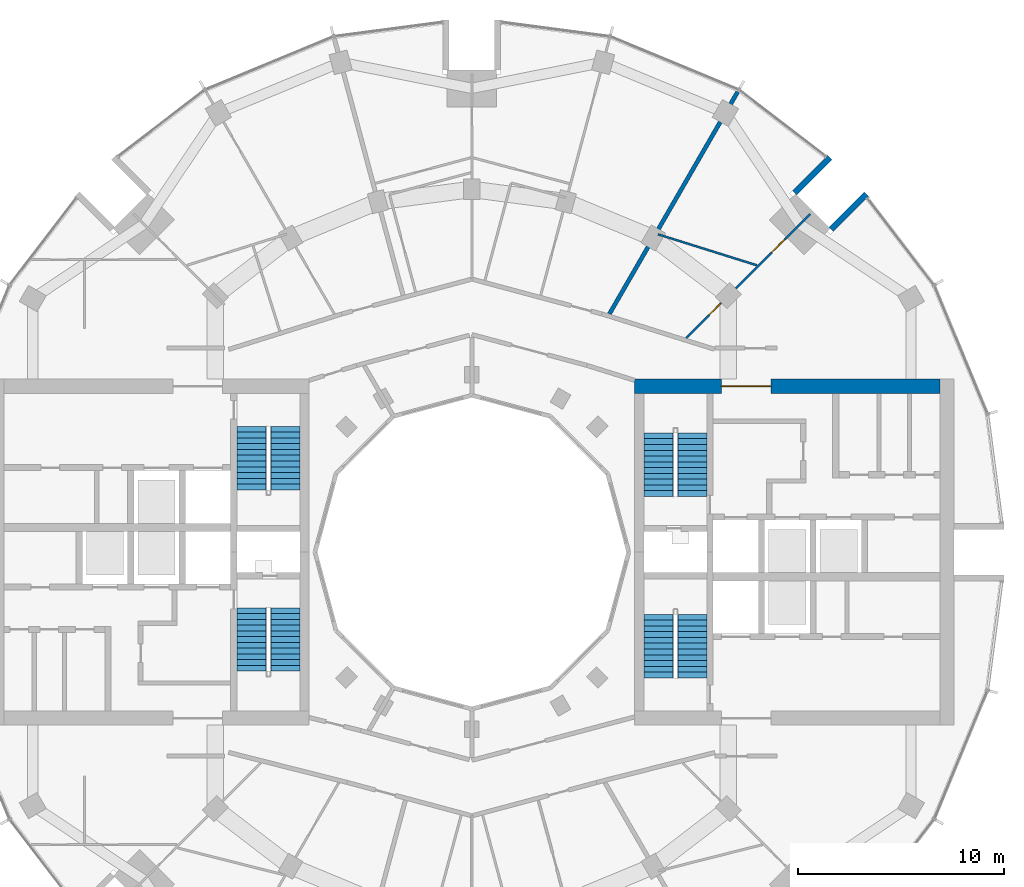
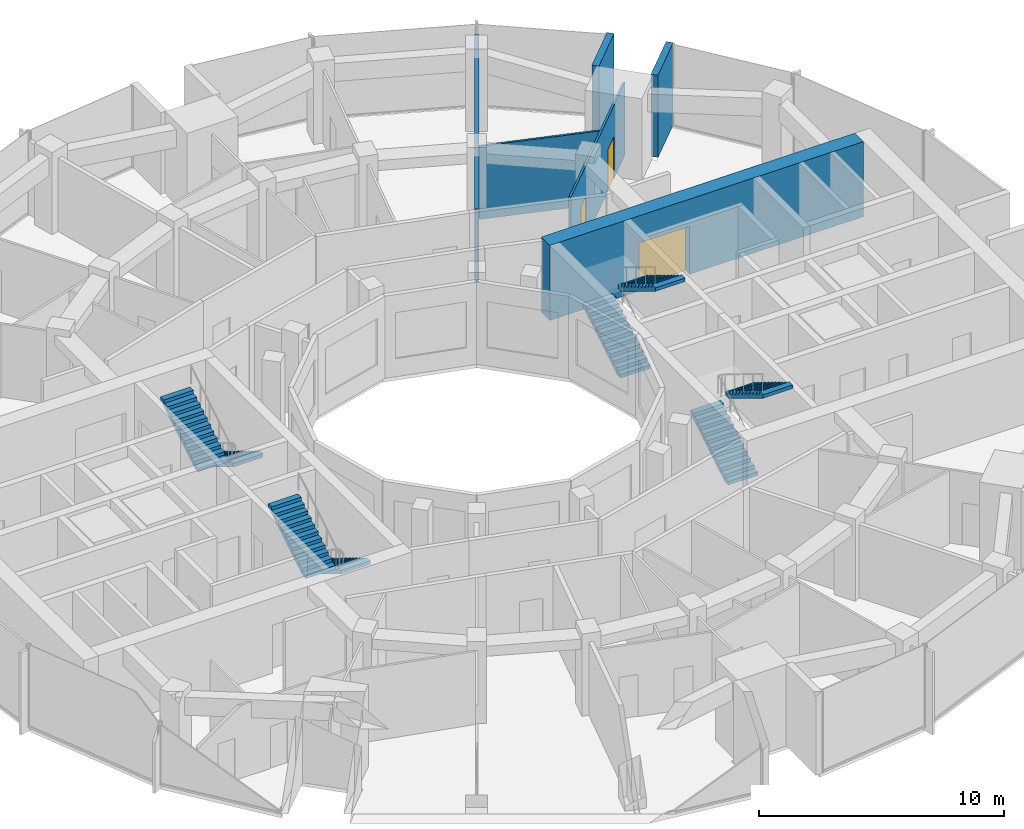
# One storey, part 13 of 15: 8 stair flights, 6 walls, 3 doors, 3 openings, 4 elements without a shape of their own.
"""IFC4 building model written with IfcOpenShell, lengths in metres."""

from ifc_helpers import new_model, si_unit, direction, frame, frame_2d, origin, place, context, subcontext, project, spatial, polyline, rectangle, outline, extrude, material, layer, layer_set, type_object, element, fill, aggregate, save


model = new_model("IFC4")

# Units and contexts
model_context = context("Model", 3, precision=1e-05, world=origin(), true_north=direction((0.0, 1.0)))
body_context = subcontext(model_context, "Body", "Model", "MODEL_VIEW")
ifc_project = project(units=[si_unit("LENGTHUNIT", "METRE"), si_unit("AREAUNIT", "SQUARE_METRE"), si_unit("VOLUMEUNIT", "CUBIC_METRE"), si_unit("PLANEANGLEUNIT", "RADIAN"), si_unit("MASSUNIT", "GRAM", prefix="KILO")], contexts=[model_context])

# Site, building, storey
site_placement = place(None, origin())
site = spatial("IfcSite", under=ifc_project, at=site_placement, CompositionType="ELEMENT")
building_placement = place(site_placement, origin())
building = spatial("IfcBuilding", under=site, at=building_placement, Name="Torre Brocal", CompositionType="ELEMENT")
storey_placement = place(building_placement, frame((0.0, 0.0, 202.800048828125)))
storey = spatial("IfcBuildingStorey", under=building, at=storey_placement, Name="L47", CompositionType="ELEMENT", Elevation=202.800048828125)

# Wall, opening, door
ifc_material_1 = material(Name="Concrete C70", Category="concrete")
ifc_layer_1 = layer(ifc_material_1, 0.699951171875)
ifc_layer_set_1 = layer_set([ifc_layer_1], Name="Concrete C70")
wall_type_1 = type_object("IfcWallType", Name="CORE WALL 700 C70 UNDER 350 SLAB", PredefinedType="SHEAR", material=ifc_layer_set_1)
wall_1_placement = place(storey_placement, frame((87.89990234375, 83.050048828125, 0.0), z_axis=(0.0, 0.0, 1.0), x_axis=(1.0, 0.0, 0.0)))
wall_1 = element("IfcWall", 1, at=wall_1_placement, inside=storey, type_object=wall_type_1, Name="Wall CW700-70-S350", PredefinedType="SHEAR", context=body_context, shape_type="SweptSolid", body=[
    extrude(rectangle(XDim=14.800048828125, YDim=0.699951171875, at=frame_2d((7.39990234375, 0.0))), origin(), (0.0, 0.0, 1.0), 3.75),
])
opening_1_placement = place(wall_1_placement, frame((4.199951171875, 0.0, 0.0)))
opening_1 = element("IfcOpeningElement", 2, at=opening_1_placement, cuts=wall_1, Name="Opening E-D34", PredefinedType="OPENING", context=body_context, shape_type="SweptSolid", body=[
    extrude(rectangle(XDim=2.39990234375, YDim=2.39990234375, at=frame_2d((1.199951171875, 1.199951171875))), frame((0.0, 0.35986328125, 0.0), z_axis=(0.0, -1.0, 0.0), x_axis=(1.0, 0.0, 0.0)), (0.0, 0.0, 1.0), 0.719970703125),
])
ifc_material_2 = material(Name="Steel A653", Category="steel")
door_type_1 = type_object("IfcDoorType", Name="DOUBLE FIRE DOOR FD90 2400X2400", OperationType="DOUBLE_DOOR_SINGLE_SWING", PredefinedType="DOOR", material=ifc_material_2)
door_1_placement = place(opening_1_placement, frame((2.39990234375, 0.0, 0.0), z_axis=(0.0, 0.0, 1.0), x_axis=(-1.0, 0.0, 0.0)))
door_1 = element("IfcDoor", 3, at=door_1_placement, inside=storey, type_object=door_type_1, Name="Door E-D34", OperationType="DOUBLE_DOOR_SINGLE_SWING", OverallHeight=2.39990234375, OverallWidth=2.39990234375, PredefinedType="DOOR", context=body_context, shape_type="SweptSolid", body=[
    extrude(rectangle(XDim=2.39990234375, YDim=2.39990234375, at=frame_2d((1.199951171875, 1.199951171875))), frame((0.0, 0.02490234375, 0.0), z_axis=(0.0, -1.0, 0.0), x_axis=(1.0, 0.0, 0.0)), (0.0, 0.0, 1.0), 0.050048828125),
])
fill(opening_1, door_1)

# Walls
ifc_material_3 = material(Name="Concrete C70", Category="concrete")
ifc_layer_2 = layer(ifc_material_3, 0.300048828125)
ifc_layer_set_2 = layer_set([ifc_layer_2], Name="Concrete C70")
wall_type_2 = type_object("IfcWallType", Name="NOTCH RETURN WALL 300 C70", PredefinedType="NOTDEFINED", material=ifc_layer_set_2)
for number, where, z_axis, x_axis, name in (
    (4, (97.43017578125, 90.662353515625, 0.0), (0.0, 0.0, 1.0), (0.707106781187, 0.707106781187, 0.0), "NOTCH RETURN WALL"),
    (5, (95.662353515625, 92.43017578125, 0.0), (0.0, 0.0, 1.0), (0.707106781187, 0.707106781187, 0.0), "NOTCH RETURN WALL"),
):
    element("IfcWall", number, at=place(storey_placement, frame(where, z_axis=z_axis, x_axis=x_axis)), inside=storey, type_object=wall_type_2, Name=name, PredefinedType="NOTDEFINED", context=body_context, shape_type="SweptSolid", body=[
        extrude(rectangle(XDim=2.415771484375, YDim=0.300048828125, at=frame_2d((1.2080078125, 0.0))), origin(), (0.0, 0.0, 1.0), 4.099853515625),
    ])
ifc_material_4 = material(Name="Gypsum board", Category="Gypsum")
ifc_layer_3 = layer(ifc_material_4, 0.10009765625)
ifc_layer_set_3 = layer_set([ifc_layer_3], Name="Gypsum board")
wall_type_3 = type_object("IfcWallType", Name="PARTITION 100", PredefinedType="PARTITIONING", material=ifc_layer_set_3)
wall_2_placement = place(storey_placement, frame((89.0263671875, 90.4189453125, 0.0), z_axis=(0.0, 0.0, 1.0), x_axis=(0.954217944154, -0.299112211476, 0.0)))
element("IfcWall", 6, at=wall_2_placement, inside=storey, type_object=wall_type_3, Name="BATHROOM WALL", PredefinedType="PARTITIONING", context=body_context, shape_type="SweptSolid", body=[
    extrude(rectangle(XDim=5.0302734375, YDim=0.10009765625, at=frame_2d((2.51513671875, 0.0))), origin(), (0.0, 0.0, 1.0), 3.64990234375),
])

# Wall, openings, doors
wall_3_placement = place(storey_placement, frame((90.397216796875, 85.392822265625, 0.0), z_axis=(0.0, 0.0, 1.0), x_axis=(0.707264750546, 0.706948776529, 0.0)))
wall_3 = element("IfcWall", 7, at=wall_3_placement, inside=storey, type_object=wall_type_3, Name="BATHROOM WALL", PredefinedType="PARTITIONING", context=body_context, shape_type="SweptSolid", body=[
    extrude(rectangle(XDim=8.499267578125, YDim=0.10009765625, at=frame_2d((4.24951171875, 0.0))), origin(), (0.0, 0.0, 1.0), 3.64990234375),
])
opening_2_placement = place(wall_3_placement, frame((5.856689453125, 0.0, 0.0)))
opening_2 = element("IfcOpeningElement", 8, at=opening_2_placement, cuts=wall_3, Name="Opening R04-D02", PredefinedType="OPENING", context=body_context, shape_type="SweptSolid", body=[
    extrude(rectangle(XDim=0.89990234375, YDim=2.10009765625, at=frame_2d((0.449951171875, 1.050048828125))), frame((0.0, 0.06005859375, 0.0), z_axis=(0.0, -1.0, 0.0), x_axis=(1.0, 0.0, 0.0)), (0.0, 0.0, 1.0), 0.1201171875),
])
opening_3_placement = place(wall_3_placement, frame((1.569091796875, 0.0, 0.0)))
opening_3 = element("IfcOpeningElement", 9, at=opening_3_placement, cuts=wall_3, Name="Opening R04-D03", PredefinedType="OPENING", context=body_context, shape_type="SweptSolid", body=[
    extrude(rectangle(XDim=0.800048828125, YDim=2.10009765625, at=frame_2d((0.39990234375, 1.050048828125))), frame((0.0, 0.06005859375, 0.0), z_axis=(0.0, -1.0, 0.0), x_axis=(1.0, 0.0, 0.0)), (0.0, 0.0, 1.0), 0.1201171875),
])
ifc_material_5 = material(Name="Timber", Category="wood")
door_type_2 = type_object("IfcDoorType", Name="BATHROOM DOOR 800X2100", OperationType="SINGLE_SWING_LEFT", PredefinedType="DOOR", material=ifc_material_5)
door_2_placement = place(opening_3_placement, origin())
door_2 = element("IfcDoor", 10, at=door_2_placement, inside=storey, type_object=door_type_2, Name="R04-D03", OperationType="SINGLE_SWING_LEFT", OverallHeight=2.10009765625, OverallWidth=0.800048828125, PredefinedType="DOOR", context=body_context, shape_type="SweptSolid", body=[
    extrude(rectangle(XDim=0.800048828125, YDim=2.10009765625, at=frame_2d((0.39990234375, 1.050048828125))), frame((0.0, 0.02490234375, 0.0), z_axis=(0.0, -1.0, 0.0), x_axis=(1.0, 0.0, 0.0)), (0.0, 0.0, 1.0), 0.050048828125),
])
fill(opening_3, door_2)
ifc_material_6 = material(Name="Timber", Category="wood")
door_type_3 = type_object("IfcDoorType", Name="ROOM DOOR 900X2100", OperationType="SINGLE_SWING_LEFT", PredefinedType="DOOR", material=ifc_material_6)
door_3_placement = place(opening_2_placement, frame((0.89990234375, 0.0, 0.0), z_axis=(0.0, 0.0, 1.0), x_axis=(-1.0, 0.0, 0.0)))
door_3 = element("IfcDoor", 11, at=door_3_placement, inside=storey, type_object=door_type_3, Name="R04-D02", OperationType="SINGLE_SWING_LEFT", OverallHeight=2.10009765625, OverallWidth=0.89990234375, PredefinedType="DOOR", context=body_context, shape_type="SweptSolid", body=[
    extrude(rectangle(XDim=0.89990234375, YDim=2.10009765625, at=frame_2d((0.449951171875, 1.050048828125))), frame((0.0, 0.02490234375, 0.0), z_axis=(0.0, -1.0, 0.0), x_axis=(1.0, 0.0, 0.0)), (0.0, 0.0, 1.0), 0.050048828125),
])
fill(opening_2, door_3)

# Wall
ifc_material_7 = material(Name="Gypsum board", Category="Gypsum")
ifc_layer_4 = layer(ifc_material_7, 0.199951171875)
ifc_layer_set_4 = layer_set([ifc_layer_4], Name="Gypsum board")
wall_type_4 = type_object("IfcWallType", Name="PARTITION 200 EI60", PredefinedType="PARTITIONING", material=ifc_layer_set_4)
wall_4_placement = place(storey_placement, frame((86.676025390625, 86.56298828125, 0.0), z_axis=(0.0, 0.0, 1.0), x_axis=(0.500124310661, 0.865953621094, 0.0)))
element("IfcWall", 12, at=wall_4_placement, inside=storey, type_object=wall_type_4, Name="BATHROOM WALL", PredefinedType="PARTITIONING", context=body_context, shape_type="SweptSolid", body=[
    extrude(rectangle(XDim=12.445556640625, YDim=0.199951171875, at=frame_2d((6.22265625, 0.0))), origin(), (0.0, 0.0, 1.0), 3.64990234375),
])

# Stair, stair flights
ifc_material_8 = material(Name="Concrete C50", Category="concrete")
stair_type = type_object("IfcStairType", Name="EXIT STAIR", PredefinedType="HALF_TURN_STAIR", material=ifc_material_8)
stair_1_placement = place(storey_placement, origin())
stair_1 = element("IfcStair", 13, at=stair_1_placement, inside=storey, type_object=stair_type, Name="EXIT STAIR ST1", PredefinedType="HALF_TURN_STAIR")
ifc_material_9 = material(Name="Concrete C50", Category="concrete")
ifc_layer_5 = layer(ifc_material_9, 0.14990234375)
ifc_layer_set_5 = layer_set([ifc_layer_5], Name="Concrete C50")
stair_flight_type = type_object("IfcStairFlightType", Name="STAIR FLIGHT", PredefinedType="STRAIGHT", material=ifc_layer_set_5)
stair_flight_1_placement = place(storey_placement, frame((89.050048828125, 77.699951171875, 0.0), z_axis=(0.0, 0.0, 1.0), x_axis=(0.0, 1.0, 0.0)))
stair_flight_1 = element("IfcStairFlight", 14, at=stair_flight_1_placement, type_object=stair_flight_type, Name="ST1 flight 1", NumberOfRisers=12, NumberOfTreads=11, PredefinedType="STRAIGHT", RiserHeight=0.170833333, TreadLength=0.28, context=body_context, shape_type="SweptSolid", body=[
    extrude(outline(polyline([(0.0, 0.0), (0.0, 0.1708984375), (0.280029296875, 0.1708984375), (0.280029296875, 0.341552734375), (0.56005859375, 0.341552734375), (0.56005859375, 0.512451171875), (0.840087890625, 0.512451171875), (0.840087890625, 0.683349609375), (1.1201171875, 0.683349609375), (1.1201171875, 0.854248046875), (1.39990234375, 0.854248046875), (1.39990234375, 1.02490234375), (1.679931640625, 1.02490234375), (1.679931640625, 1.19580078125), (1.9599609375, 1.19580078125), (1.9599609375, 1.36669921875), (2.239990234375, 1.36669921875), (2.239990234375, 1.53759765625), (2.52001953125, 1.53759765625), (2.52001953125, 1.708251953125), (2.800048828125, 1.708251953125), (2.800048828125, 1.879150390625), (3.080078125, 1.879150390625), (3.080078125, 2.050048828125), (3.080078125, 1.70361328125), (0.287841796875, 0.0), (0.0, 0.0)])), frame((0.0, 0.699951171875, 0.0), z_axis=(0.0, -1.0, 0.0), x_axis=(1.0, 0.0, 0.0)), (0.0, 0.0, 1.0), 1.39990234375),
])
stair_flight_2_placement = place(storey_placement, frame((90.699951171875, 80.780029296875, 2.050048828125), z_axis=(0.0, 0.0, 1.0), x_axis=(0.0, -1.0, 0.0)))
stair_flight_2 = element("IfcStairFlight", 15, at=stair_flight_2_placement, type_object=stair_flight_type, Name="ST1 flight 2", NumberOfRisers=12, NumberOfTreads=11, PredefinedType="STRAIGHT", RiserHeight=0.170833333, TreadLength=0.28, context=body_context, shape_type="SweptSolid", body=[
    extrude(outline(polyline([(0.0, 0.0), (0.0, 0.1708984375), (0.280029296875, 0.1708984375), (0.280029296875, 0.341552734375), (0.56005859375, 0.341552734375), (0.56005859375, 0.512451171875), (0.840087890625, 0.512451171875), (0.840087890625, 0.683349609375), (1.1201171875, 0.683349609375), (1.1201171875, 0.854248046875), (1.39990234375, 0.854248046875), (1.39990234375, 1.02490234375), (1.679931640625, 1.02490234375), (1.679931640625, 1.19580078125), (1.9599609375, 1.19580078125), (1.9599609375, 1.36669921875), (2.239990234375, 1.36669921875), (2.239990234375, 1.53759765625), (2.52001953125, 1.53759765625), (2.52001953125, 1.708251953125), (2.800048828125, 1.708251953125), (2.800048828125, 1.879150390625), (3.080078125, 1.879150390625), (3.080078125, 2.050048828125), (3.080078125, 1.70361328125), (0.287841796875, 0.0), (0.0, 0.0)])), frame((0.0, 0.699951171875, 0.0), z_axis=(0.0, -1.0, 0.0), x_axis=(1.0, 0.0, 0.0)), (0.0, 0.0, 1.0), 1.39990234375),
])
aggregate(stair_1, [stair_flight_1, stair_flight_2])

stair_2_placement = place(storey_placement, origin())
stair_2 = element("IfcStair", 16, at=stair_2_placement, inside=storey, type_object=stair_type, Name="EXIT STAIR ST2", PredefinedType="HALF_TURN_STAIR")
stair_flight_3_placement = place(storey_placement, frame((89.050048828125, 68.89990234375, 0.0), z_axis=(0.0, 0.0, 1.0), x_axis=(0.0, 1.0, 0.0)))
stair_flight_3 = element("IfcStairFlight", 17, at=stair_flight_3_placement, type_object=stair_flight_type, Name="ST2 flight 1", NumberOfRisers=12, NumberOfTreads=11, PredefinedType="STRAIGHT", RiserHeight=0.170833333, TreadLength=0.28, context=body_context, shape_type="SweptSolid", body=[
    extrude(outline(polyline([(0.0, 0.0), (0.0, 0.1708984375), (0.280029296875, 0.1708984375), (0.280029296875, 0.341552734375), (0.56005859375, 0.341552734375), (0.56005859375, 0.512451171875), (0.840087890625, 0.512451171875), (0.840087890625, 0.683349609375), (1.1201171875, 0.683349609375), (1.1201171875, 0.854248046875), (1.39990234375, 0.854248046875), (1.39990234375, 1.02490234375), (1.679931640625, 1.02490234375), (1.679931640625, 1.19580078125), (1.9599609375, 1.19580078125), (1.9599609375, 1.36669921875), (2.239990234375, 1.36669921875), (2.239990234375, 1.53759765625), (2.52001953125, 1.53759765625), (2.52001953125, 1.708251953125), (2.800048828125, 1.708251953125), (2.800048828125, 1.879150390625), (3.080078125, 1.879150390625), (3.080078125, 2.050048828125), (3.080078125, 1.70361328125), (0.287841796875, 0.0), (0.0, 0.0)])), frame((0.0, 0.699951171875, 0.0), z_axis=(0.0, -1.0, 0.0), x_axis=(1.0, 0.0, 0.0)), (0.0, 0.0, 1.0), 1.39990234375),
])
stair_flight_4_placement = place(storey_placement, frame((90.699951171875, 71.97998046875, 2.050048828125), z_axis=(0.0, 0.0, 1.0), x_axis=(0.0, -1.0, 0.0)))
stair_flight_4 = element("IfcStairFlight", 18, at=stair_flight_4_placement, type_object=stair_flight_type, Name="ST2 flight 2", NumberOfRisers=12, NumberOfTreads=11, PredefinedType="STRAIGHT", RiserHeight=0.170833333, TreadLength=0.28, context=body_context, shape_type="SweptSolid", body=[
    extrude(outline(polyline([(0.0, 0.0), (0.0, 0.1708984375), (0.280029296875, 0.1708984375), (0.280029296875, 0.341552734375), (0.56005859375, 0.341552734375), (0.56005859375, 0.512451171875), (0.840087890625, 0.512451171875), (0.840087890625, 0.683349609375), (1.1201171875, 0.683349609375), (1.1201171875, 0.854248046875), (1.39990234375, 0.854248046875), (1.39990234375, 1.02490234375), (1.679931640625, 1.02490234375), (1.679931640625, 1.19580078125), (1.9599609375, 1.19580078125), (1.9599609375, 1.36669921875), (2.239990234375, 1.36669921875), (2.239990234375, 1.53759765625), (2.52001953125, 1.53759765625), (2.52001953125, 1.708251953125), (2.800048828125, 1.708251953125), (2.800048828125, 1.879150390625), (3.080078125, 1.879150390625), (3.080078125, 2.050048828125), (3.080078125, 1.70361328125), (0.287841796875, 0.0), (0.0, 0.0)])), frame((0.0, 0.699951171875, 0.0), z_axis=(0.0, -1.0, 0.0), x_axis=(1.0, 0.0, 0.0)), (0.0, 0.0, 1.0), 1.39990234375),
])
aggregate(stair_2, [stair_flight_3, stair_flight_4])

stair_3_placement = place(storey_placement, origin())
stair_3 = element("IfcStair", 19, at=stair_3_placement, inside=storey, type_object=stair_type, Name="EXIT STAIR ST3", PredefinedType="HALF_TURN_STAIR")
stair_flight_5_placement = place(storey_placement, frame((70.949951171875, 72.300048828125, 0.0), z_axis=(0.0, 0.0, 1.0), x_axis=(0.0, -1.0, 0.0)))
stair_flight_5 = element("IfcStairFlight", 20, at=stair_flight_5_placement, type_object=stair_flight_type, Name="ST3 flight 1", NumberOfRisers=12, NumberOfTreads=11, PredefinedType="STRAIGHT", RiserHeight=0.170833333, TreadLength=0.28, context=body_context, shape_type="SweptSolid", body=[
    extrude(outline(polyline([(0.0, 0.0), (0.0, 0.1708984375), (0.280029296875, 0.1708984375), (0.280029296875, 0.341552734375), (0.56005859375, 0.341552734375), (0.56005859375, 0.512451171875), (0.840087890625, 0.512451171875), (0.840087890625, 0.683349609375), (1.1201171875, 0.683349609375), (1.1201171875, 0.854248046875), (1.39990234375, 0.854248046875), (1.39990234375, 1.02490234375), (1.679931640625, 1.02490234375), (1.679931640625, 1.19580078125), (1.9599609375, 1.19580078125), (1.9599609375, 1.36669921875), (2.239990234375, 1.36669921875), (2.239990234375, 1.53759765625), (2.52001953125, 1.53759765625), (2.52001953125, 1.708251953125), (2.800048828125, 1.708251953125), (2.800048828125, 1.879150390625), (3.080078125, 1.879150390625), (3.080078125, 2.050048828125), (3.080078125, 1.70361328125), (0.287841796875, 0.0), (0.0, 0.0)])), frame((0.0, 0.699951171875, 0.0), z_axis=(0.0, -1.0, 0.0), x_axis=(1.0, 0.0, 0.0)), (0.0, 0.0, 1.0), 1.39990234375),
])
stair_flight_6_placement = place(storey_placement, frame((69.300048828125, 69.219970703125, 2.050048828125), z_axis=(0.0, 0.0, 1.0), x_axis=(0.0, 1.0, 0.0)))
stair_flight_6 = element("IfcStairFlight", 21, at=stair_flight_6_placement, type_object=stair_flight_type, Name="ST3 flight 2", NumberOfRisers=12, NumberOfTreads=11, PredefinedType="STRAIGHT", RiserHeight=0.170833333, TreadLength=0.28, context=body_context, shape_type="SweptSolid", body=[
    extrude(outline(polyline([(0.0, 0.0), (0.0, 0.1708984375), (0.280029296875, 0.1708984375), (0.280029296875, 0.341552734375), (0.56005859375, 0.341552734375), (0.56005859375, 0.512451171875), (0.840087890625, 0.512451171875), (0.840087890625, 0.683349609375), (1.1201171875, 0.683349609375), (1.1201171875, 0.854248046875), (1.39990234375, 0.854248046875), (1.39990234375, 1.02490234375), (1.679931640625, 1.02490234375), (1.679931640625, 1.19580078125), (1.9599609375, 1.19580078125), (1.9599609375, 1.36669921875), (2.239990234375, 1.36669921875), (2.239990234375, 1.53759765625), (2.52001953125, 1.53759765625), (2.52001953125, 1.708251953125), (2.800048828125, 1.708251953125), (2.800048828125, 1.879150390625), (3.080078125, 1.879150390625), (3.080078125, 2.050048828125), (3.080078125, 1.70361328125), (0.287841796875, 0.0), (0.0, 0.0)])), frame((0.0, 0.699951171875, 0.0), z_axis=(0.0, -1.0, 0.0), x_axis=(1.0, 0.0, 0.0)), (0.0, 0.0, 1.0), 1.39990234375),
])
aggregate(stair_3, [stair_flight_5, stair_flight_6])

stair_4_placement = place(storey_placement, origin())
stair_4 = element("IfcStair", 22, at=stair_4_placement, inside=storey, type_object=stair_type, Name="EXIT STAIR ST4", PredefinedType="HALF_TURN_STAIR")
stair_flight_7_placement = place(storey_placement, frame((70.949951171875, 81.10009765625, 0.0), z_axis=(0.0, 0.0, 1.0), x_axis=(0.0, -1.0, 0.0)))
stair_flight_7 = element("IfcStairFlight", 23, at=stair_flight_7_placement, type_object=stair_flight_type, Name="ST4 flight 1", NumberOfRisers=12, NumberOfTreads=11, PredefinedType="STRAIGHT", RiserHeight=0.170833333, TreadLength=0.28, context=body_context, shape_type="SweptSolid", body=[
    extrude(outline(polyline([(0.0, 0.0), (0.0, 0.1708984375), (0.280029296875, 0.1708984375), (0.280029296875, 0.341552734375), (0.56005859375, 0.341552734375), (0.56005859375, 0.512451171875), (0.840087890625, 0.512451171875), (0.840087890625, 0.683349609375), (1.1201171875, 0.683349609375), (1.1201171875, 0.854248046875), (1.39990234375, 0.854248046875), (1.39990234375, 1.02490234375), (1.679931640625, 1.02490234375), (1.679931640625, 1.19580078125), (1.9599609375, 1.19580078125), (1.9599609375, 1.36669921875), (2.239990234375, 1.36669921875), (2.239990234375, 1.53759765625), (2.52001953125, 1.53759765625), (2.52001953125, 1.708251953125), (2.800048828125, 1.708251953125), (2.800048828125, 1.879150390625), (3.080078125, 1.879150390625), (3.080078125, 2.050048828125), (3.080078125, 1.70361328125), (0.287841796875, 0.0), (0.0, 0.0)])), frame((0.0, 0.699951171875, 0.0), z_axis=(0.0, -1.0, 0.0), x_axis=(1.0, 0.0, 0.0)), (0.0, 0.0, 1.0), 1.39990234375),
])
stair_flight_8_placement = place(storey_placement, frame((69.300048828125, 78.02001953125, 2.050048828125), z_axis=(0.0, 0.0, 1.0), x_axis=(0.0, 1.0, 0.0)))
stair_flight_8 = element("IfcStairFlight", 24, at=stair_flight_8_placement, type_object=stair_flight_type, Name="ST4 flight 2", NumberOfRisers=12, NumberOfTreads=11, PredefinedType="STRAIGHT", RiserHeight=0.170833333, TreadLength=0.28, context=body_context, shape_type="SweptSolid", body=[
    extrude(outline(polyline([(0.0, 0.0), (0.0, 0.1708984375), (0.280029296875, 0.1708984375), (0.280029296875, 0.341552734375), (0.56005859375, 0.341552734375), (0.56005859375, 0.512451171875), (0.840087890625, 0.512451171875), (0.840087890625, 0.683349609375), (1.1201171875, 0.683349609375), (1.1201171875, 0.854248046875), (1.39990234375, 0.854248046875), (1.39990234375, 1.02490234375), (1.679931640625, 1.02490234375), (1.679931640625, 1.19580078125), (1.9599609375, 1.19580078125), (1.9599609375, 1.36669921875), (2.239990234375, 1.36669921875), (2.239990234375, 1.53759765625), (2.52001953125, 1.53759765625), (2.52001953125, 1.708251953125), (2.800048828125, 1.708251953125), (2.800048828125, 1.879150390625), (3.080078125, 1.879150390625), (3.080078125, 2.050048828125), (3.080078125, 1.70361328125), (0.287841796875, 0.0), (0.0, 0.0)])), frame((0.0, 0.699951171875, 0.0), z_axis=(0.0, -1.0, 0.0), x_axis=(1.0, 0.0, 0.0)), (0.0, 0.0, 1.0), 1.39990234375),
])
aggregate(stair_4, [stair_flight_7, stair_flight_8])

save(model, "model.ifc")
